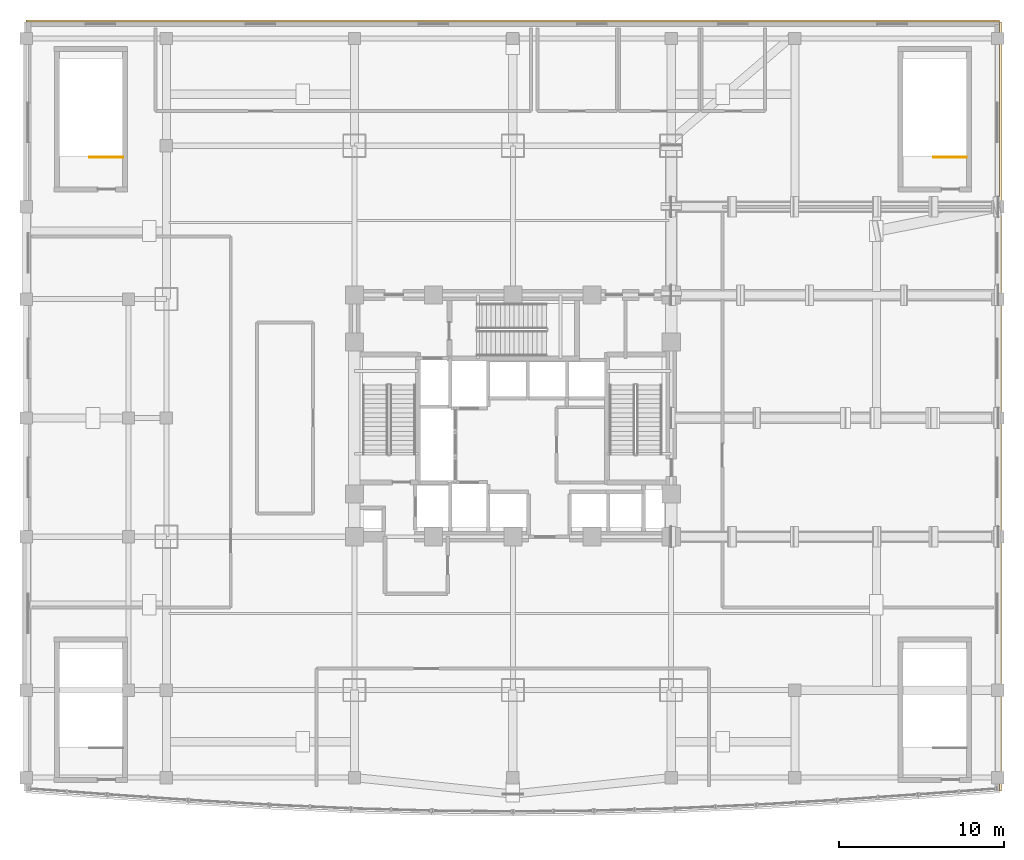
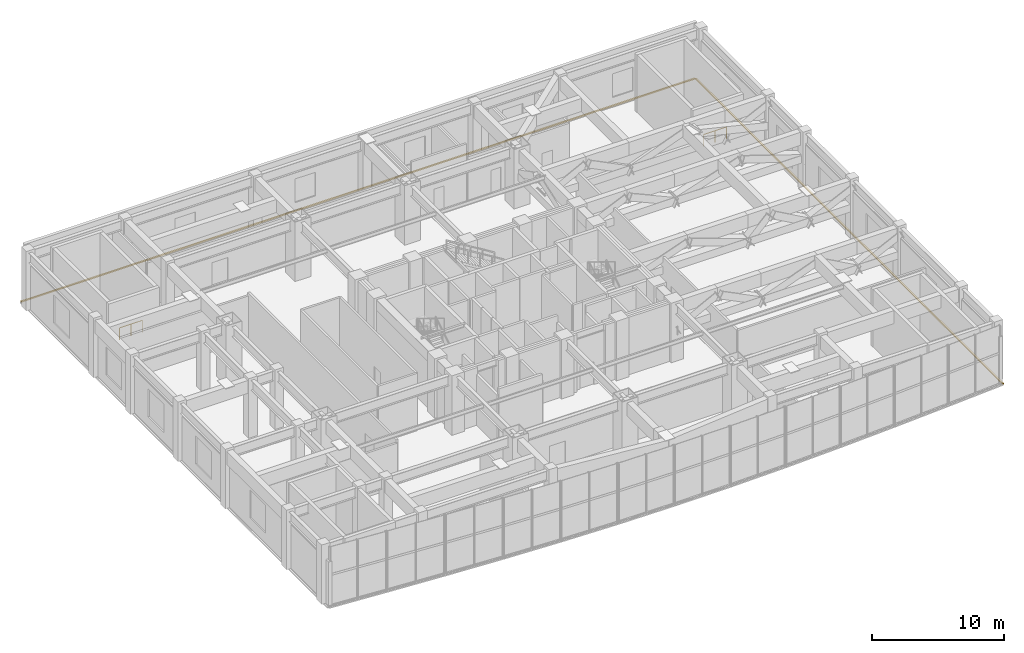
# One storey, part 19 of 19: 2 coverings, 2 railings.
"""IFC4 building model written with IfcOpenShell, lengths in metres."""

import ifcopenshell
import ifcopenshell.guid

model = None  # the IFC model being written
_history = None  # IfcOwnerHistory: only IFC2X3 demands one
_inside = {}  # id of a spatial element -> (the spatial element, [elements in it])
_under = {}  # id of a project, library or spatial element -> (it, [spatial elements below it])
_declared = {}  # id of a project -> (the project, [libraries it declares])
_typed = {}  # id of a type object -> (the type object, [elements of that type])
_made_of = {}  # id of a material, layer set ... -> (it, [elements and type objects made of it])


def new_model(schema):
    """Start an empty IFC model of exactly this schema.

    Asked for "IFC4X3", IfcOpenShell would pick the latest addendum, in which some entities
    have other attributes; the version numbers below select the first issue.
    IFC2X3 requires an IfcOwnerHistory on every rooted entity: one is made here for all.
    """
    global model, _history
    if schema == "IFC4X3":
        model = ifcopenshell.file(schema_version=(4, 3, 0, 0))
    else:
        model = ifcopenshell.file(schema=schema)
    _inside.clear()
    _under.clear()
    _declared.clear()
    _typed.clear()
    _made_of.clear()
    _history = None
    if model.schema == "IFC2X3":
        org = make("IfcOrganization", Name="unknown")
        user = make(
            "IfcPersonAndOrganization",
            ThePerson=make("IfcPerson", FamilyName="unknown"),
            TheOrganization=org,
        )
        app = make(
            "IfcApplication",
            ApplicationDeveloper=org,
            Version="unknown",
            ApplicationFullName="unknown",
            ApplicationIdentifier="unknown",
        )
        _history = make(
            "IfcOwnerHistory",
            OwningUser=user,
            OwningApplication=app,
            ChangeAction="ADDED",
            CreationDate=0,
        )
    return model


def make(cls, **values):
    """One entity of the class cls with the attributes given. An attribute that is None is left unset."""
    return model.create_entity(
        cls, **{name: value for name, value in values.items() if value is not None}
    )


def rooted(cls, **values):
    """An entity with a GlobalId (a new one), such as an element, a storey or a relation."""
    return make(cls, GlobalId=ifcopenshell.guid.new(), OwnerHistory=_history, **values)


def si_unit(unit_type, name, prefix=None):
    """IfcSIUnit, for example si_unit("LENGTHUNIT", "METRE", prefix="MILLI")."""
    return make("IfcSIUnit", UnitType=unit_type, Prefix=prefix, Name=name)


def assignment(units):
    """IfcUnitAssignment: the units of a project."""
    return None if units is None else make("IfcUnitAssignment", Units=units)


def point(xyz):
    """IfcCartesianPoint."""
    return None if xyz is None else make("IfcCartesianPoint", Coordinates=xyz)


def direction(xyz):
    """IfcDirection."""
    return None if xyz is None else make("IfcDirection", DirectionRatios=xyz)


def frame(location, z_axis=None, x_axis=None):
    """IfcAxis2Placement3D, a coordinate frame: its origin and axes. An axis left out is left unset."""
    return make(
        "IfcAxis2Placement3D",
        Location=point(location),
        Axis=direction(z_axis),
        RefDirection=direction(x_axis),
    )


def frame_2d(location, x_axis=None):
    """IfcAxis2Placement2D, a coordinate frame in the plane: its origin and x axis."""
    return make(
        "IfcAxis2Placement2D", Location=point(location), RefDirection=direction(x_axis)
    )


def origin():
    """The frame at (0, 0, 0) with its axes left unset."""
    return frame((0.0, 0.0, 0.0))


def origin_2d():
    """The frame at (0, 0) in the plane with its x axis left unset."""
    return frame_2d((0.0, 0.0))


def place(relative_to, where):
    """IfcLocalPlacement: puts the frame where relative to a parent placement (None: the world)."""
    return make(
        "IfcLocalPlacement", PlacementRelTo=relative_to, RelativePlacement=where
    )


def context(
    kind, dimensions, precision=None, world=None, true_north=None, identifier=None
):
    """IfcGeometricRepresentationContext, for example the 3D "Model" context."""
    return make(
        "IfcGeometricRepresentationContext",
        ContextIdentifier=identifier,
        ContextType=kind,
        CoordinateSpaceDimension=dimensions,
        Precision=precision,
        WorldCoordinateSystem=world,
        TrueNorth=true_north,
    )


def subcontext(parent, identifier, kind, view, scale=None):
    """IfcGeometricRepresentationSubContext, for example "Body" below "Model"."""
    return make(
        "IfcGeometricRepresentationSubContext",
        ContextIdentifier=identifier,
        ContextType=kind,
        ParentContext=parent,
        TargetScale=scale,
        TargetView=view,
    )


def project(units=None, contexts=None):
    """IfcProject with its units and contexts."""
    return rooted(
        "IfcProject",
        Name="project",
        RepresentationContexts=contexts,
        UnitsInContext=assignment(units),
    )


def spatial(cls, under=None, at=None, **own):
    """A site, building, storey or space (cls), placed at a placement, below another one or the project."""
    s = rooted(cls, ObjectPlacement=at, **own)
    if under is not None:
        _under.setdefault(under.id(), (under, []))[1].append(s)
    return s


def polyline(points):
    """IfcPolyline through the points."""
    return make("IfcPolyline", Points=[point(p) for p in points])


def profile(cls, at=None, kind="AREA", **sizes):
    """A parametric profile (cls). Its sizes go by their IFC names, for example OverallWidth=200.0."""
    return make(cls, ProfileType=kind, Position=at, **sizes)


def rectangle(**sizes):
    """IfcRectangleProfileDef."""
    return profile("IfcRectangleProfileDef", **sizes)


def outline(outer, holes=None, kind="AREA"):
    """IfcArbitraryClosedProfileDef: a profile drawn as a closed curve; with holes, ...WithVoids."""
    if holes is None:
        return make("IfcArbitraryClosedProfileDef", ProfileType=kind, OuterCurve=outer)
    return make(
        "IfcArbitraryProfileDefWithVoids",
        ProfileType=kind,
        OuterCurve=outer,
        InnerCurves=holes,
    )


def extrude(swept, where, along, depth):
    """IfcExtrudedAreaSolid: the profile swept, set in the frame where, extruded along a direction by depth."""
    return make(
        "IfcExtrudedAreaSolid",
        SweptArea=swept,
        Position=where,
        ExtrudedDirection=direction(along),
        Depth=depth,
    )


def shape(context_of_items, identifier, shape_type, items):
    """IfcShapeRepresentation: the items that make up one representation, for example the "Body"."""
    return make(
        "IfcShapeRepresentation",
        ContextOfItems=context_of_items,
        RepresentationIdentifier=identifier,
        RepresentationType=shape_type,
        Items=items,
    )


def material(Name=None, Category=None):
    """IfcMaterial."""
    return make("IfcMaterial", Name=Name, Category=Category)


def layer(
    of_material, thickness, ventilated=None, Name=None, Category=None, Priority=None
):
    """IfcMaterialLayer: one layer of a wall or slab, of a material (None: an air gap)."""
    return make(
        "IfcMaterialLayer",
        Material=of_material,
        LayerThickness=thickness,
        IsVentilated=ventilated,
        Name=Name,
        Category=Category,
        Priority=Priority,
    )


def layer_set(layers, Name=None):
    """IfcMaterialLayerSet."""
    return make("IfcMaterialLayerSet", MaterialLayers=layers, LayerSetName=Name)


def made_of(thing, what):
    """Note that an element or type object is made of a material, layer set ...; save() writes the relation."""
    if what is not None:
        _made_of.setdefault(what.id(), (what, []))[1].append(thing)
    return thing


def type_object(cls, material=None, **own):
    """A type object (cls), such as IfcWallType, which elements share."""
    return made_of(rooted(cls, **own), material)


def element(
    cls,
    number,
    at=None,
    inside=None,
    cuts=None,
    type_object=None,
    material=None,
    context=None,
    identifier="Body",
    shape_type=None,
    held_by="IfcProductDefinitionShape",
    body=None,
    shapes=None,
    **own,
):
    """One element of the class cls, such as IfcWall. Its Tag is "e" and its number.

    at: its placement. inside: the storey or other place that contains it. cuts: it is an
    opening in that element (IfcRelVoidsElement). A single representation is given by context,
    identifier, shape_type and body (its items); several are given by shapes. held_by: the class
    of the entity that holds the representations. save() writes the other relations.
    """
    e = rooted(cls, Tag="e%d" % number, ObjectPlacement=at, **own)
    if body is not None:
        shapes = [shape(context, identifier, shape_type, body)]
    if shapes is not None:
        e.Representation = make(held_by, Representations=shapes)
    if inside is not None:
        _inside.setdefault(inside.id(), (inside, []))[1].append(e)
    if cuts is not None:
        rooted(
            "IfcRelVoidsElement", RelatingBuildingElement=cuts, RelatedOpeningElement=e
        )
    if type_object is not None:
        _typed.setdefault(type_object.id(), (type_object, []))[1].append(e)
    return made_of(e, material)


def aggregate(whole, parts):
    """IfcRelAggregates: a whole, such as a stair, and the parts it consists of."""
    return rooted("IfcRelAggregates", RelatingObject=whole, RelatedObjects=parts)


def save(model, path):
    """Write the relations noted so far, then the file.

    IfcRelAggregates (storeys below a building ...), IfcRelContainedInSpatialStructure (elements
    in a storey), IfcRelDefinesByType, IfcRelAssociatesMaterial and IfcRelDeclares: one each for
    every whole, place, type object, material and project.
    """
    for whole, parts in _under.values():
        aggregate(whole, parts)
    for where, things in _inside.values():
        rooted(
            "IfcRelContainedInSpatialStructure",
            RelatedElements=things,
            RelatingStructure=where,
        )
    for kind, things in _typed.values():
        rooted("IfcRelDefinesByType", RelatedObjects=things, RelatingType=kind)
    for what, things in _made_of.values():
        rooted("IfcRelAssociatesMaterial", RelatedObjects=things, RelatingMaterial=what)
    for by, libraries in _declared.values():
        rooted("IfcRelDeclares", RelatingContext=by, RelatedDefinitions=libraries)
    model.write(path)


model = new_model("IFC4")

# Units and contexts
model_context = context("Model", 3, precision=1e-05, world=origin(), true_north=direction((0.0, 1.0)))
body_context = subcontext(model_context, "Body", "Model", "MODEL_VIEW")
ifc_project = project(units=[si_unit("LENGTHUNIT", "METRE"), si_unit("AREAUNIT", "SQUARE_METRE"), si_unit("VOLUMEUNIT", "CUBIC_METRE"), si_unit("PLANEANGLEUNIT", "RADIAN"), si_unit("MASSUNIT", "GRAM", prefix="KILO")], contexts=[model_context])

# Site, building, storey
site_placement = place(None, origin())
site = spatial("IfcSite", under=ifc_project, at=site_placement, CompositionType="ELEMENT")
building_placement = place(site_placement, origin())
building = spatial("IfcBuilding", under=site, at=building_placement, Name="Vantalir Tower", CompositionType="ELEMENT")
storey_placement = place(building_placement, frame((0.0, 0.0, 21.5)))
storey = spatial("IfcBuildingStorey", under=building, at=storey_placement, Name="L04", CompositionType="ELEMENT", Elevation=21.5)

# Coverings
ifc_material_1 = material(Name="Anodised champagne aluminium sill fascia", Category="aluminium")
ifc_layer = layer(ifc_material_1, 0.125)
ifc_layer_set = layer_set([ifc_layer], Name="Anodised champagne aluminium sill fascia")
covering_type = type_object("IfcCoveringType", Name="COV-SLAB-FASCIA-125", PredefinedType="CLADDING", material=ifc_layer_set)
covering_1_placement = place(storey_placement, frame((0.0, 0.0, -0.179931640625)))
element("IfcCovering", 1, at=covering_1_placement, inside=storey, type_object=covering_type, Name="L04 Podium Slab-Edge Fascia E", PredefinedType="CLADDING", context=body_context, shape_type="SweptSolid", body=[
    extrude(outline(polyline([(61.0, 2.39990234375), (61.125, 2.39990234375), (61.125, 49.0), (61.0, 49.0), (61.0, 2.39990234375)])), origin(), (0.0, 0.0, 1.0), 0.10498046875),
])
covering_2_placement = place(storey_placement, frame((0.0, 0.0, -0.179931640625)))
element("IfcCovering", 2, at=covering_2_placement, inside=storey, type_object=covering_type, Name="L04 Podium Slab-Edge Fascia N", PredefinedType="CLADDING", context=body_context, shape_type="SweptSolid", body=[
    extrude(outline(polyline([(2.0, 49.0), (61.0, 49.0), (61.0, 49.125), (2.0, 49.125), (2.0, 49.0)])), origin(), (0.0, 0.0, 1.0), 0.10498046875),
])

# Railings
ifc_material_2 = material(Name="Anodised aluminium and stainless steel guard", Category="steel")
railing_type = type_object("IfcRailingType", Name="RAL-GUARD-1120", PredefinedType="GUARDRAIL", material=ifc_material_2)
for number, where, name in (
    (3, (7.85009765625, 40.800048828125, 0.0), "L04 PST1 top well guard 1"),
    (4, (59.0, 40.800048828125, 0.0), "L04 PST2 top well guard 1"),
):
    element("IfcRailing", number, at=place(storey_placement, frame(where)), inside=storey, type_object=railing_type, Name=name, PredefinedType="GUARDRAIL", context=body_context, shape_type="SweptSolid", body=[
        extrude(rectangle(XDim=0.048095703125, YDim=0.048095703125, at=origin_2d()), frame((0.0, 0.0, 1.09619140625), z_axis=(-1.0, 0.0, 0.0), x_axis=(0.0, -1.0, 0.0)), (0.0, 0.0, 1.0), 2.0),
        extrude(rectangle(XDim=0.0419921875, YDim=0.0419921875, at=origin_2d()), origin(), (0.0, 0.0, 1.0), 1.072021484375),
        extrude(rectangle(XDim=0.0419921875, YDim=0.0419921875, at=origin_2d()), frame((-1.0, 0.0, 0.0)), (0.0, 0.0, 1.0), 1.072021484375),
        extrude(rectangle(XDim=0.0419921875, YDim=0.0419921875, at=origin_2d()), frame((-2.0, 0.0, 0.0)), (0.0, 0.0, 1.0), 1.072021484375),
    ])

save(model, "model.ifc")
